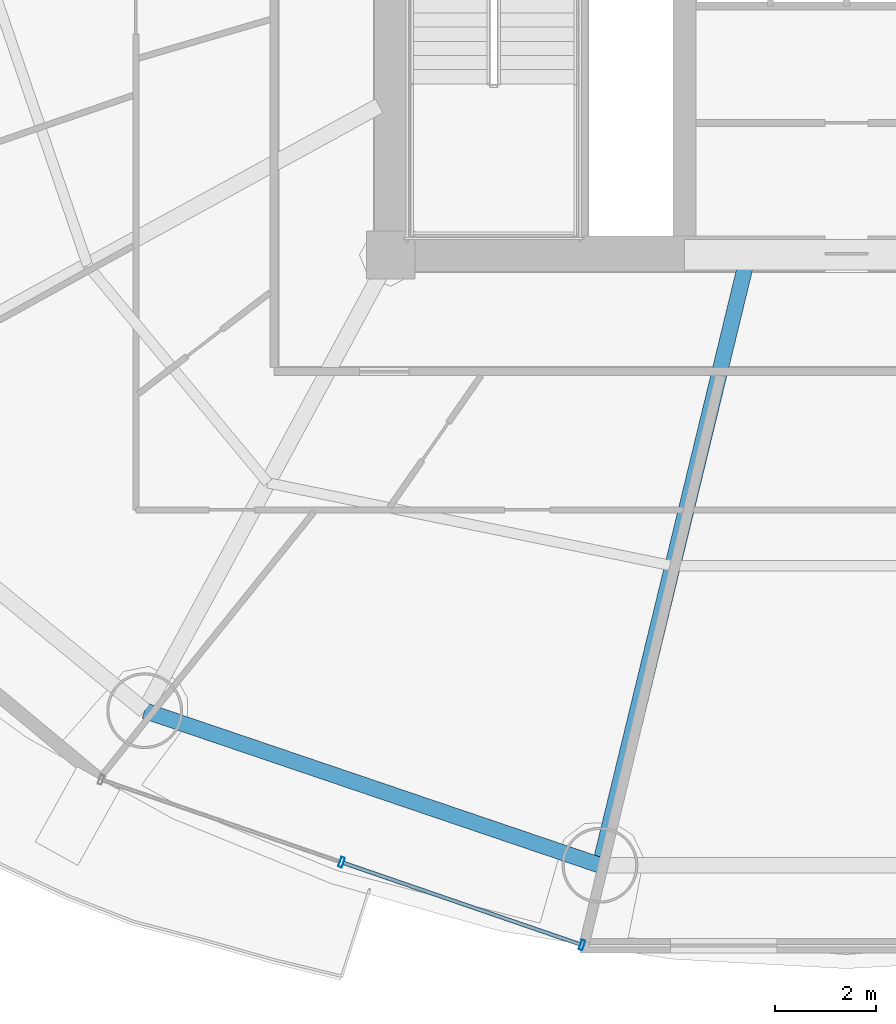
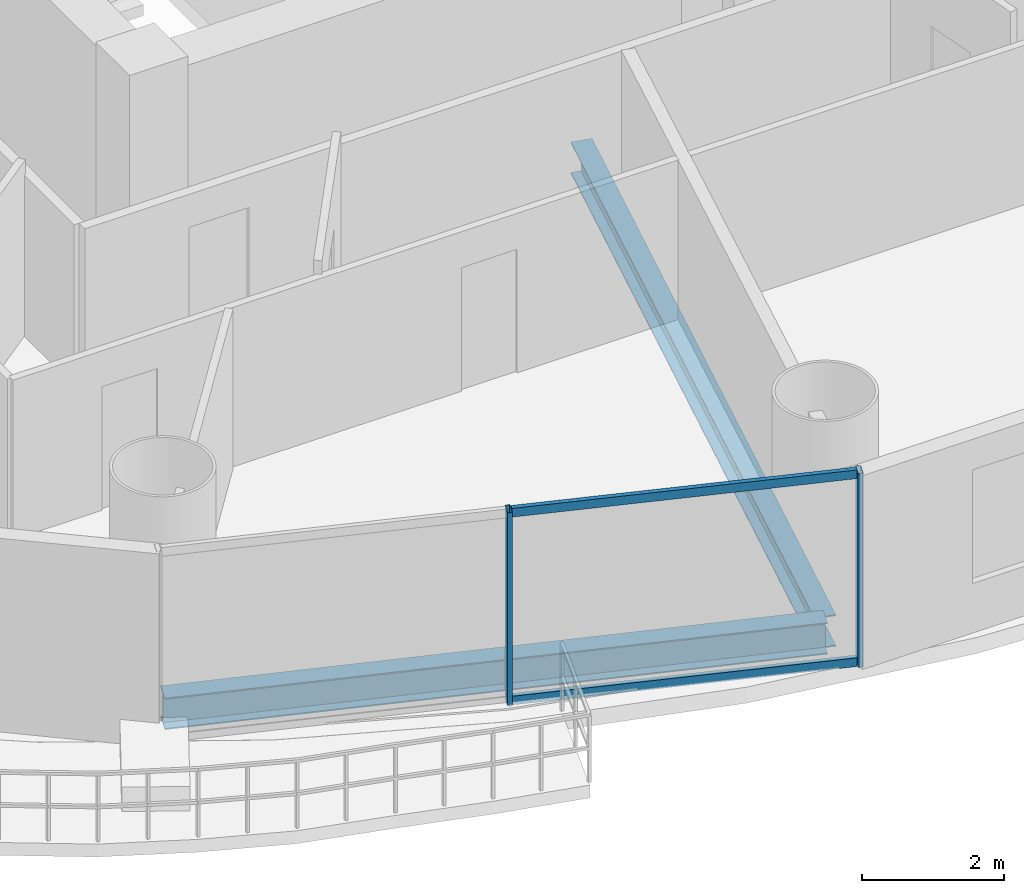
# One storey, part 4 of 29: 4 members, 2 beams, 1 element without a shape of its own.
"""IFC4 building model written with IfcOpenShell, lengths in metres."""

from ifc_helpers import new_model, si_unit, direction, frame, origin, origin_2d, place, context, subcontext, project, spatial, hollow_rectangle, i_section, extrude, source, transform, mapped, material, material_profile, profile_set, type_object, element, aggregate, save


model = new_model("IFC4")

# Units and contexts
model_context = context("Model", 3, precision=1e-05, world=origin(), true_north=direction((-0.2419218956, 0.970295726276)))
body_context = subcontext(model_context, "Body", "Model", "MODEL_VIEW")
ifc_project = project(units=[si_unit("LENGTHUNIT", "METRE"), si_unit("AREAUNIT", "SQUARE_METRE"), si_unit("VOLUMEUNIT", "CUBIC_METRE"), si_unit("PLANEANGLEUNIT", "RADIAN"), si_unit("MASSUNIT", "GRAM", prefix="KILO")], contexts=[model_context])

# Site, building, storey
site_placement = place(None, origin())
site = spatial("IfcSite", under=ifc_project, at=site_placement, CompositionType="ELEMENT")
building_placement = place(site_placement, origin())
building = spatial("IfcBuilding", under=site, at=building_placement, Name="Cobrevalo Terracotta Tower", CompositionType="ELEMENT")
storey_placement = place(building_placement, frame((0.0, 0.0, 90.60009765625)))
storey = spatial("IfcBuildingStorey", under=building, at=storey_placement, Name="L23", CompositionType="ELEMENT", Elevation=90.60009765625)

# Beams
ifc_material_1 = material(Name="Steel S355", Category="steel")
ifc_material_profile_1 = material_profile(ifc_material_1, i_section(OverallWidth=0.31201171875, OverallDepth=0.54296875, WebThickness=0.0126953125, FlangeThickness=0.020263671875, at=origin_2d()), Name="W 530x150")
ifc_profile_set_1 = profile_set([ifc_material_profile_1], Name="Steel S355")
beam_type_1 = type_object("IfcBeamType", Name="Structural Beam W 530x150 (Steel S355)", PredefinedType="BEAM", material=ifc_profile_set_1)
beam_1_placement = place(storey_placement, frame((33.132568359375, 6.742919921875, -0.546630859375), z_axis=(0.235827379387, 0.971794961467, 0.0), x_axis=(-0.971794961467, 0.235827379387, 0.0)))
element("IfcBeam", 1, at=beam_1_placement, inside=storey, type_object=beam_type_1, Name="L23 radial floor girder 12", PredefinedType="BEAM", context=body_context, shape_type="SweptSolid", body=[
    extrude(i_section(OverallWidth=0.31201171875, OverallDepth=0.54296875, WebThickness=0.0126953125, FlangeThickness=0.020263671875, at=origin_2d()), origin(), (0.0, 0.0, 1.0), 12.17041015625),
])
ifc_material_profile_2 = material_profile(ifc_material_1, i_section(OverallWidth=0.31201171875, OverallDepth=0.54296875, WebThickness=0.0126953125, FlangeThickness=0.020263671875, at=origin_2d()), Name="W 530x150")
ifc_profile_set_2 = profile_set([ifc_material_profile_2], Name="Steel S355")
beam_type_2 = type_object("IfcBeamType", Name="Structural Spandrel W 530x150 (Steel S355)", PredefinedType="SPANDREL", material=ifc_profile_set_2)
beam_2_placement = place(storey_placement, frame((24.138427734375, 9.79638671875, -0.546630859375), z_axis=(0.94691835344, -0.321474154356, 0.0), x_axis=(0.321474154356, 0.94691835344, 0.0)))
element("IfcBeam", 2, at=beam_2_placement, inside=storey, type_object=beam_type_2, Name="L23 perimeter ring spandrel 11", PredefinedType="SPANDREL", context=body_context, shape_type="SweptSolid", body=[
    extrude(i_section(OverallWidth=0.31201171875, OverallDepth=0.54296875, WebThickness=0.0126953125, FlangeThickness=0.020263671875, at=origin_2d()), origin(), (0.0, 0.0, 1.0), 9.498291015625),
])

# Curtain wall, members
ifc_material_2 = material(Name="Anodized aluminium", Category="aluminium")
curtain_wall_type = type_object("IfcCurtainWallType", Name="Lower-tower unitised acoustic low-E curtain wall CW-U1", PredefinedType="NOTDEFINED", material=ifc_material_2)
curtain_wall_placement = place(storey_placement, origin())
curtain_wall = element("IfcCurtainWall", 3, at=curtain_wall_placement, inside=storey, type_object=curtain_wall_type, Name="L23 curtain wall CW-L23-S11", PredefinedType="NOTDEFINED")
ifc_material_profile_3 = material_profile(ifc_material_2, hollow_rectangle(XDim=0.074951171875, YDim=0.199951171875, WallThickness=0.0048828125, at=origin_2d()), Name="CWM 75x200")
ifc_profile_set_3 = profile_set([ifc_material_profile_3], Name="Anodized aluminium")
member_type_1 = type_object("IfcMemberType", Name="Lower/mid tower unitised mullion 75x200", PredefinedType="MULLION", material=ifc_profile_set_3)
shared_shape_1 = source(origin(), body_context, "Body", "SweptSolid", [
    extrude(hollow_rectangle(XDim=0.074951171875, YDim=0.199951171875, WallThickness=0.0048828125, at=origin_2d()), origin(), (0.0, 0.0, 1.0), 3.324951171875),
])
member_1_placement = place(storey_placement, frame((28.027587890625, 6.8017578125, 0.0), z_axis=(0.0, 0.0, 1.0), x_axis=(0.94559809868, -0.325337110968, 0.0)))
member_1 = element("IfcMember", 4, at=member_1_placement, type_object=member_type_1, Name="CW-L23-S11 vertical mullion 02", PredefinedType="MULLION", context=body_context, shape_type="MappedRepresentation", body=[
    mapped(shared_shape_1, transform((0.0, 0.0, 0.0), scale=1.0)),
])
member_2_placement = place(storey_placement, frame((32.778564453125, 5.1669921875, 0.0), z_axis=(0.0, 0.0, 1.0), x_axis=(0.94559809868, -0.325337110968, 0.0)))
member_2 = element("IfcMember", 5, at=member_2_placement, type_object=member_type_1, Name="CW-L23-S11 vertical mullion 03", PredefinedType="MULLION", context=body_context, shape_type="MappedRepresentation", body=[
    mapped(shared_shape_1, transform((0.0, 0.0, 0.0), scale=1.0)),
])
ifc_material_profile_4 = material_profile(ifc_material_2, hollow_rectangle(XDim=0.074951171875, YDim=0.14990234375, WallThickness=0.00439453125, at=origin_2d()), Name="CWT 75x150")
ifc_profile_set_4 = profile_set([ifc_material_profile_4], Name="Anodized aluminium")
member_type_2 = type_object("IfcMemberType", Name="Tower unitised aluminium transom 75x150", PredefinedType="USERDEFINED", material=ifc_profile_set_4)
shared_shape_2 = source(origin(), body_context, "Body", "SweptSolid", [
    extrude(hollow_rectangle(XDim=0.074951171875, YDim=0.14990234375, WallThickness=0.00439453125, at=origin_2d()), origin(), (0.0, 0.0, 1.0), 4.944580078125),
])
member_3_placement = place(storey_placement, frame((28.065185546875, 6.788818359375, 0.0498046875), z_axis=(0.945597859971, -0.32533780478, 0.0), x_axis=(0.32533780478, 0.945597859971, 0.0)))
member_3 = element("IfcMember", 6, at=member_3_placement, type_object=member_type_2, Name="CW-L23-S11 transom B02-T1", ObjectType="TRANSOM", PredefinedType="USERDEFINED", context=body_context, shape_type="MappedRepresentation", body=[
    mapped(shared_shape_2, transform((0.0, 0.0, 0.0), scale=1.0)),
])
member_4_placement = place(storey_placement, frame((28.065185546875, 6.788818359375, 3.27490234375), z_axis=(0.945597859971, -0.32533780478, 0.0), x_axis=(0.32533780478, 0.945597859971, 0.0)))
member_4 = element("IfcMember", 7, at=member_4_placement, type_object=member_type_2, Name="CW-L23-S11 transom B02-T2", ObjectType="TRANSOM", PredefinedType="USERDEFINED", context=body_context, shape_type="MappedRepresentation", body=[
    mapped(shared_shape_2, transform((0.0, 0.0, 0.0), scale=1.0)),
])
aggregate(curtain_wall, [member_1, member_2, member_3, member_4])

save(model, "model.ifc")
